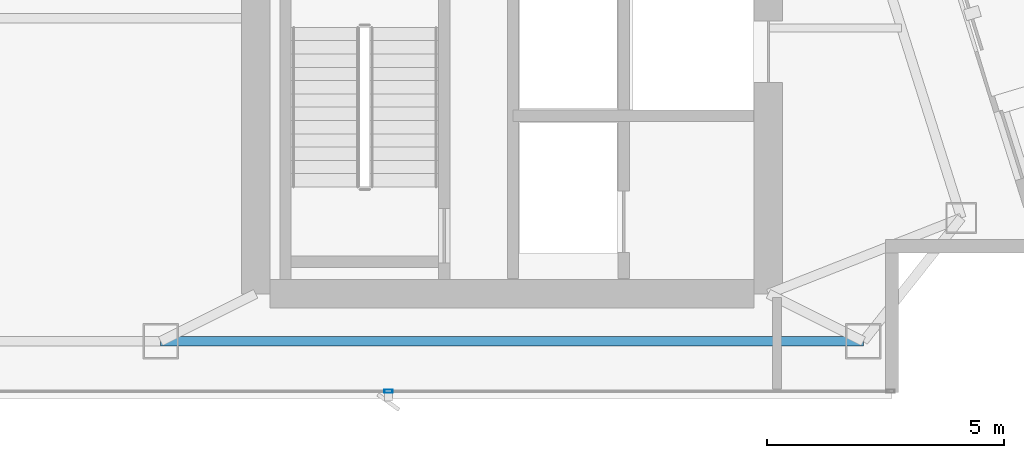
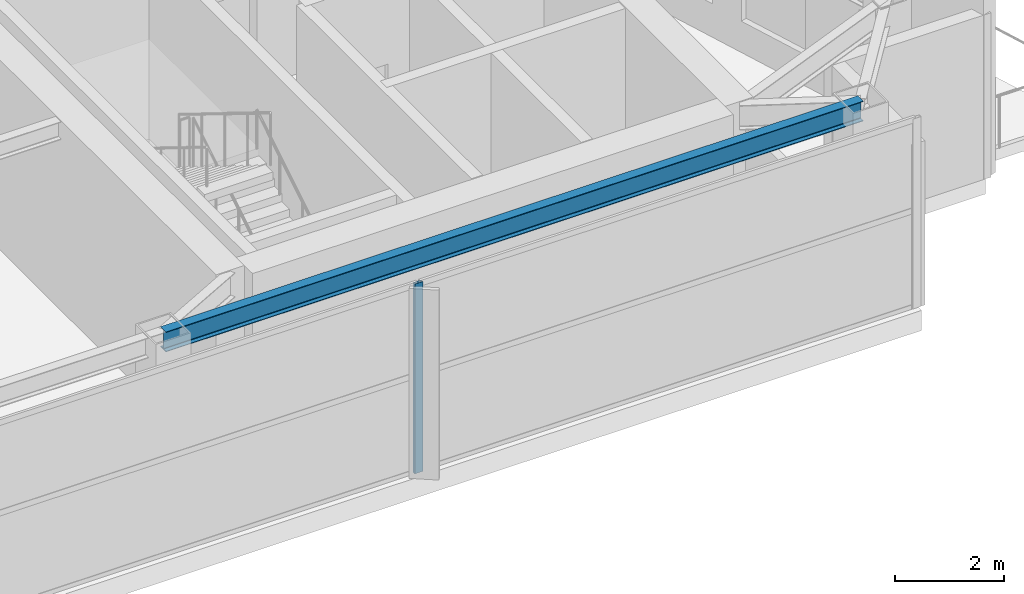
# One storey, part 7 of 25: 1 beam, 1 member, 1 element without a shape of its own.
"""IFC4 building model written with IfcOpenShell, lengths in metres."""

from ifc_helpers import new_model, si_unit, direction, frame, origin, origin_2d, place, context, subcontext, project, spatial, hollow_rectangle, i_section, extrude, material, layer, layer_set, material_profile, profile_set, type_object, element, aggregate, save


model = new_model("IFC4")

# Units and contexts
model_context = context("Model", 3, precision=1e-05, world=origin(), true_north=direction((0.0, 1.0)))
body_context = subcontext(model_context, "Body", "Model", "MODEL_VIEW")
ifc_project = project(units=[si_unit("LENGTHUNIT", "METRE"), si_unit("AREAUNIT", "SQUARE_METRE"), si_unit("VOLUMEUNIT", "CUBIC_METRE"), si_unit("PLANEANGLEUNIT", "RADIAN"), si_unit("MASSUNIT", "GRAM", prefix="KILO")], contexts=[model_context])

# Site, building, storey
site_placement = place(None, origin())
site = spatial("IfcSite", under=ifc_project, at=site_placement, CompositionType="ELEMENT")
building_placement = place(site_placement, origin())
building = spatial("IfcBuilding", under=site, at=building_placement, Name="Calvorn Quay Hotel", CompositionType="ELEMENT")
storey_placement = place(building_placement, frame((0.0, 0.0, 307.0)))
storey = spatial("IfcBuildingStorey", under=building, at=storey_placement, Name="L76", CompositionType="ELEMENT", Elevation=307.0)

# Beam
ifc_material_1 = material(Name="Steel Q355B", Category="steel")
ifc_material_profile_1 = material_profile(ifc_material_1, i_section(OverallWidth=0.199951171875, OverallDepth=0.449951171875, WebThickness=0.009033203125, FlangeThickness=0.013916015625, FilletRadius=0.01611328125, at=origin_2d()), Name="HN450x200x9x14")
ifc_profile_set_1 = profile_set([ifc_material_profile_1], Name="Steel Q355B")
beam_type = type_object("IfcBeamType", Name="BM-SPANDREL-Z3", PredefinedType="SPANDREL", material=ifc_profile_set_1)
beam_placement = place(storey_placement, frame((19.60009765625, 3.60009765625, 4.014892578125), z_axis=(1.0, 0.0, 0.0), x_axis=(0.0, 1.0, 0.0)))
element("IfcBeam", 1, at=beam_placement, inside=storey, type_object=beam_type, Name="Beam BSP-L76-S3", PredefinedType="SPANDREL", context=body_context, shape_type="SweptSolid", body=[
    extrude(i_section(OverallWidth=0.199951171875, OverallDepth=0.449951171875, WebThickness=0.009033203125, FlangeThickness=0.013916015625, FilletRadius=0.01611328125, at=origin_2d()), origin(), (0.0, 0.0, 1.0), 14.7998046875),
])

# Curtain wall, member
ifc_material_2 = material(Name="Champagne Bronze Anodised Aluminium and Low-E Glass", Category="aluminium")
ifc_layer = layer(ifc_material_2, 0.219970703125)
ifc_layer_set = layer_set([ifc_layer], Name="CW-SYS-Z4")
curtain_wall_type = type_object("IfcCurtainWallType", Name="CW-SYS-Z4", PredefinedType="NOTDEFINED", material=ifc_layer_set)
curtain_wall_placement = place(storey_placement, origin())
curtain_wall = element("IfcCurtainWall", 2, at=curtain_wall_placement, inside=storey, type_object=curtain_wall_type, Name="Tower South Waterfront Curtain Wall (L76)", PredefinedType="NOTDEFINED")
ifc_material_3 = material(Name="Champagne Bronze Anodised Aluminium 6063-T6", Category="aluminium")
ifc_material_profile_2 = material_profile(ifc_material_3, hollow_rectangle(XDim=0.06494140625, YDim=0.169921875, WallThickness=0.00341796875, at=origin_2d()), Name="ALU-M170x65x3.5")
ifc_profile_set_2 = profile_set([ifc_material_profile_2], Name="Champagne Bronze Anodised Aluminium 6063-T6")
member_type = type_object("IfcMemberType", Name="CW-SYS-Z4-MUL", PredefinedType="MULLION", material=ifc_profile_set_2)
member_placement = place(storey_placement, frame((24.39990234375, 2.550048828125, 0.0), z_axis=(0.0, 0.0, 1.0), x_axis=(0.0, 1.0, 0.0)))
member = element("IfcMember", 3, at=member_placement, type_object=member_type, Name="CW-L76-S mullion 3", PredefinedType="MULLION", context=body_context, shape_type="SweptSolid", body=[
    extrude(hollow_rectangle(XDim=0.06494140625, YDim=0.169921875, WallThickness=0.00341796875, at=origin_2d()), origin(), (0.0, 0.0, 1.0), 4.260009765625),
])
aggregate(curtain_wall, [member])

save(model, "model.ifc")
